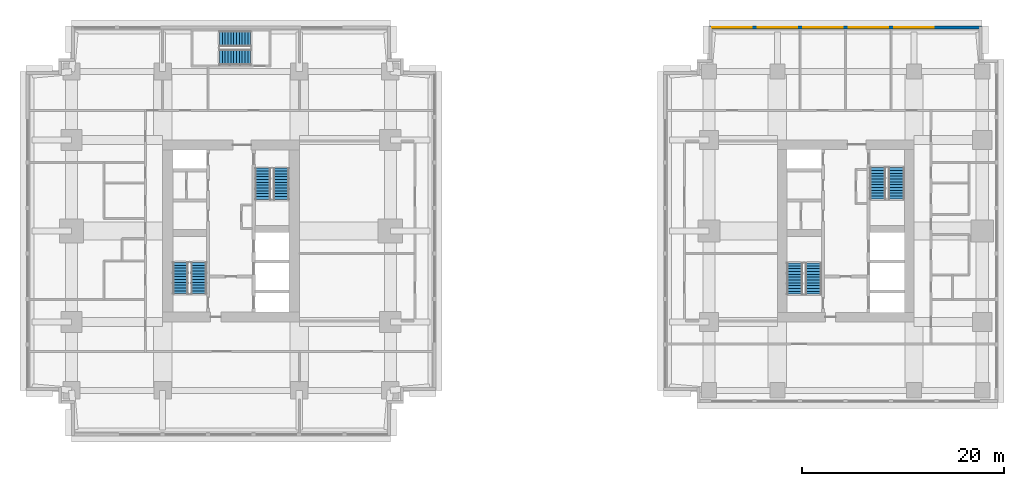
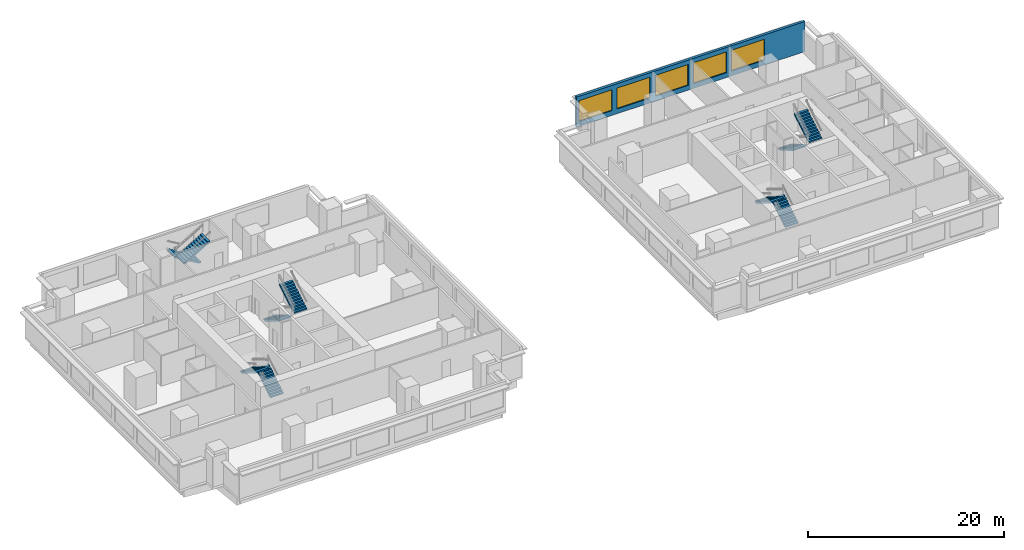
# One storey, part 8 of 10: 10 stair flights, 5 windows, 1 wall, 5 openings, 5 elements without a shape of their own.
"""IFC4 building model written with IfcOpenShell, lengths in metres."""

from ifc_helpers import new_model, si_unit, direction, frame, frame_2d, origin, place, context, subcontext, project, spatial, polyline, rectangle, outline, extrude, material, layer, layer_set, type_object, element, fill, aggregate, save


model = new_model("IFC4")

# Units and contexts
model_context = context("Model", 3, precision=1e-05, world=origin(), true_north=direction((0.0, 1.0)))
body_context = subcontext(model_context, "Body", "Model", "MODEL_VIEW")
ifc_project = project(units=[si_unit("LENGTHUNIT", "METRE"), si_unit("AREAUNIT", "SQUARE_METRE"), si_unit("VOLUMEUNIT", "CUBIC_METRE"), si_unit("PLANEANGLEUNIT", "RADIAN"), si_unit("MASSUNIT", "GRAM", prefix="KILO")], contexts=[model_context])

# Site, building, storey
site_placement = place(None, origin())
site = spatial("IfcSite", under=ifc_project, at=site_placement, CompositionType="ELEMENT")
building_placement = place(site_placement, origin())
building = spatial("IfcBuilding", under=site, at=building_placement, Name="Namib Vertical Campus", CompositionType="ELEMENT")
storey_placement = place(building_placement, frame((0.0, 0.0, 165.0)))
storey = spatial("IfcBuildingStorey", under=building, at=storey_placement, Name="L39", CompositionType="ELEMENT", Elevation=165.0)

# Wall, openings, windows
ifc_material_1 = material(Name="Concrete C40/50", Category="concrete")
ifc_layer = layer(ifc_material_1, 0.300048828125)
ifc_layer_set = layer_set([ifc_layer], Name="Concrete C40/50")
wall_type = type_object("IfcWallType", Name="External wall 300 board-marked concrete", PredefinedType="STANDARD", material=ifc_layer_set)
wall_placement = place(storey_placement, frame((94.47998046875, 40.35009765625, 0.0), z_axis=(0.0, 0.0, 1.0), x_axis=(-1.0, 0.0, 0.0)))
wall = element("IfcWall", 1, at=wall_placement, inside=storey, type_object=wall_type, Name="External wall L39 F07", PredefinedType="STANDARD", context=body_context, shape_type="SweptSolid", body=[
    extrude(rectangle(XDim=26.9599609375, YDim=0.300048828125, at=frame_2d((13.47998046875, 0.0))), origin(), (0.0, 0.0, 1.0), 3.75),
])
opening_1_placement = place(wall_placement, frame((22.780029296875, 0.0, 0.60009765625)))
opening_1 = element("IfcOpeningElement", 2, at=opening_1_placement, cuts=wall, Name="Opening W2", PredefinedType="OPENING", context=body_context, shape_type="SweptSolid", body=[
    extrude(rectangle(XDim=3.89990234375, YDim=2.60009765625, at=frame_2d((1.949951171875, 1.300048828125))), frame((0.0, 0.159912109375, 0.0), z_axis=(0.0, -1.0, 0.0), x_axis=(1.0, 0.0, 0.0)), (0.0, 0.0, 1.0), 0.320068359375),
])
opening_2_placement = place(wall_placement, frame((18.280029296875, 0.0, 0.60009765625)))
opening_2 = element("IfcOpeningElement", 3, at=opening_2_placement, cuts=wall, Name="Opening W2", PredefinedType="OPENING", context=body_context, shape_type="SweptSolid", body=[
    extrude(rectangle(XDim=3.89990234375, YDim=2.60009765625, at=frame_2d((1.949951171875, 1.300048828125))), frame((0.0, 0.159912109375, 0.0), z_axis=(0.0, -1.0, 0.0), x_axis=(1.0, 0.0, 0.0)), (0.0, 0.0, 1.0), 0.320068359375),
])
opening_3_placement = place(wall_placement, frame((13.780029296875, 0.0, 0.60009765625)))
opening_3 = element("IfcOpeningElement", 4, at=opening_3_placement, cuts=wall, Name="Opening W2", PredefinedType="OPENING", context=body_context, shape_type="SweptSolid", body=[
    extrude(rectangle(XDim=3.89990234375, YDim=2.60009765625, at=frame_2d((1.949951171875, 1.300048828125))), frame((0.0, 0.159912109375, 0.0), z_axis=(0.0, -1.0, 0.0), x_axis=(1.0, 0.0, 0.0)), (0.0, 0.0, 1.0), 0.320068359375),
])
opening_4_placement = place(wall_placement, frame((9.280029296875, 0.0, 0.60009765625)))
opening_4 = element("IfcOpeningElement", 5, at=opening_4_placement, cuts=wall, Name="Opening W2", PredefinedType="OPENING", context=body_context, shape_type="SweptSolid", body=[
    extrude(rectangle(XDim=3.89990234375, YDim=2.60009765625, at=frame_2d((1.949951171875, 1.300048828125))), frame((0.0, 0.159912109375, 0.0), z_axis=(0.0, -1.0, 0.0), x_axis=(1.0, 0.0, 0.0)), (0.0, 0.0, 1.0), 0.320068359375),
])
opening_5_placement = place(wall_placement, frame((4.780029296875, 0.0, 0.60009765625)))
opening_5 = element("IfcOpeningElement", 6, at=opening_5_placement, cuts=wall, Name="Opening W2", PredefinedType="OPENING", context=body_context, shape_type="SweptSolid", body=[
    extrude(rectangle(XDim=3.89990234375, YDim=2.60009765625, at=frame_2d((1.949951171875, 1.300048828125))), frame((0.0, 0.159912109375, 0.0), z_axis=(0.0, -1.0, 0.0), x_axis=(1.0, 0.0, 0.0)), (0.0, 0.0, 1.0), 0.320068359375),
])
ifc_material_2 = material(Name="Dark tinted glass in black aluminium frame", Category="aluminium")
window_type = type_object("IfcWindowType", Name="Ribbon window 3900x2600", PartitioningType="SINGLE_PANEL", PredefinedType="WINDOW", material=ifc_material_2)
window_1_placement = place(opening_1_placement, origin())
window_1 = element("IfcWindow", 7, at=window_1_placement, inside=storey, type_object=window_type, Name="Window W2 L39 F07-1", OverallHeight=2.60009765625, OverallWidth=3.89990234375, PartitioningType="SINGLE_PANEL", PredefinedType="WINDOW", context=body_context, shape_type="SweptSolid", body=[
    extrude(rectangle(XDim=3.89990234375, YDim=2.60009765625, at=frame_2d((1.949951171875, 1.300048828125))), frame((0.0, 0.030029296875, 0.0), z_axis=(0.0, -1.0, 0.0), x_axis=(1.0, 0.0, 0.0)), (0.0, 0.0, 1.0), 0.06005859375),
])
fill(opening_1, window_1)
window_2_placement = place(opening_2_placement, origin())
window_2 = element("IfcWindow", 8, at=window_2_placement, inside=storey, type_object=window_type, Name="Window W2 L39 F07-2", OverallHeight=2.60009765625, OverallWidth=3.89990234375, PartitioningType="SINGLE_PANEL", PredefinedType="WINDOW", context=body_context, shape_type="SweptSolid", body=[
    extrude(rectangle(XDim=3.89990234375, YDim=2.60009765625, at=frame_2d((1.949951171875, 1.300048828125))), frame((0.0, 0.030029296875, 0.0), z_axis=(0.0, -1.0, 0.0), x_axis=(1.0, 0.0, 0.0)), (0.0, 0.0, 1.0), 0.06005859375),
])
fill(opening_2, window_2)
window_3_placement = place(opening_3_placement, origin())
window_3 = element("IfcWindow", 9, at=window_3_placement, inside=storey, type_object=window_type, Name="Window W2 L39 F07-3", OverallHeight=2.60009765625, OverallWidth=3.89990234375, PartitioningType="SINGLE_PANEL", PredefinedType="WINDOW", context=body_context, shape_type="SweptSolid", body=[
    extrude(rectangle(XDim=3.89990234375, YDim=2.60009765625, at=frame_2d((1.949951171875, 1.300048828125))), frame((0.0, 0.030029296875, 0.0), z_axis=(0.0, -1.0, 0.0), x_axis=(1.0, 0.0, 0.0)), (0.0, 0.0, 1.0), 0.06005859375),
])
fill(opening_3, window_3)
window_4_placement = place(opening_4_placement, origin())
window_4 = element("IfcWindow", 10, at=window_4_placement, inside=storey, type_object=window_type, Name="Window W2 L39 F07-4", OverallHeight=2.60009765625, OverallWidth=3.89990234375, PartitioningType="SINGLE_PANEL", PredefinedType="WINDOW", context=body_context, shape_type="SweptSolid", body=[
    extrude(rectangle(XDim=3.89990234375, YDim=2.60009765625, at=frame_2d((1.949951171875, 1.300048828125))), frame((0.0, 0.030029296875, 0.0), z_axis=(0.0, -1.0, 0.0), x_axis=(1.0, 0.0, 0.0)), (0.0, 0.0, 1.0), 0.06005859375),
])
fill(opening_4, window_4)
window_5_placement = place(opening_5_placement, origin())
window_5 = element("IfcWindow", 11, at=window_5_placement, inside=storey, type_object=window_type, Name="Window W2 L39 F07-5", OverallHeight=2.60009765625, OverallWidth=3.89990234375, PartitioningType="SINGLE_PANEL", PredefinedType="WINDOW", context=body_context, shape_type="SweptSolid", body=[
    extrude(rectangle(XDim=3.89990234375, YDim=2.60009765625, at=frame_2d((1.949951171875, 1.300048828125))), frame((0.0, 0.030029296875, 0.0), z_axis=(0.0, -1.0, 0.0), x_axis=(1.0, 0.0, 0.0)), (0.0, 0.0, 1.0), 0.06005859375),
])
fill(opening_5, window_5)

# Stair, stair flights
ifc_material_3 = material(Name="Concrete C40/50 precast", Category="concrete")
stair_type_1 = type_object("IfcStairType", Name="Exit stair 4000 rise 24 risers 3350 wide", PredefinedType="HALF_TURN_STAIR", material=ifc_material_3)
stair_1_placement = place(storey_placement, origin())
stair_1 = element("IfcStair", 12, at=stair_1_placement, inside=storey, type_object=stair_type_1, Name="Exit stair A-S1 L39", PredefinedType="HALF_TURN_STAIR")
ifc_material_4 = material(Name="Concrete C40/50 precast", Category="concrete")
stair_flight_type_1 = type_object("IfcStairFlightType", Name="Stair flight 12 risers 167 1525 wide", PredefinedType="STRAIGHT", material=ifc_material_4)
stair_flight_1_placement = place(storey_placement, frame((17.08740234375, 14.050048828125, 0.0), z_axis=(0.0, 0.0, 1.0), x_axis=(0.0, 1.0, 0.0)))
stair_flight_1 = element("IfcStairFlight", 13, at=stair_flight_1_placement, type_object=stair_flight_type_1, Name="A-S1 flight 1", NumberOfRisers=12, NumberOfTreads=11, PredefinedType="STRAIGHT", RiserHeight=0.166666667, TreadLength=0.28, context=body_context, shape_type="SweptSolid", body=[
    extrude(outline(polyline([(0.0, 0.0), (0.0, 0.166748046875), (0.280029296875, 0.166748046875), (0.280029296875, 0.333251953125), (0.56005859375, 0.333251953125), (0.56005859375, 0.5), (0.840087890625, 0.5), (0.840087890625, 0.666748046875), (1.1201171875, 0.666748046875), (1.1201171875, 0.833251953125), (1.39990234375, 0.833251953125), (1.39990234375, 1.0), (1.679931640625, 1.0), (1.679931640625, 1.166748046875), (1.9599609375, 1.166748046875), (1.9599609375, 1.333251953125), (2.239990234375, 1.333251953125), (2.239990234375, 1.5), (2.52001953125, 1.5), (2.52001953125, 1.666748046875), (2.800048828125, 1.666748046875), (2.800048828125, 1.833251953125), (3.080078125, 1.833251953125), (3.080078125, 2.0), (3.080078125, 1.658935546875), (0.29296875, 0.0), (0.0, 0.0)])), frame((0.0, 0.762451171875, 0.0), z_axis=(0.0, -1.0, 0.0), x_axis=(1.0, 0.0, 0.0)), (0.0, 0.0, 1.0), 1.52490234375),
])
stair_flight_2_placement = place(storey_placement, frame((15.262451171875, 17.1298828125, 2.0), z_axis=(0.0, 0.0, 1.0), x_axis=(0.0, -1.0, 0.0)))
stair_flight_2 = element("IfcStairFlight", 14, at=stair_flight_2_placement, type_object=stair_flight_type_1, Name="A-S1 flight 2", NumberOfRisers=12, NumberOfTreads=11, PredefinedType="STRAIGHT", RiserHeight=0.166666667, TreadLength=0.28, context=body_context, shape_type="SweptSolid", body=[
    extrude(outline(polyline([(0.0, 0.0), (0.0, 0.166748046875), (0.280029296875, 0.166748046875), (0.280029296875, 0.333251953125), (0.56005859375, 0.333251953125), (0.56005859375, 0.5), (0.840087890625, 0.5), (0.840087890625, 0.666748046875), (1.1201171875, 0.666748046875), (1.1201171875, 0.833251953125), (1.39990234375, 0.833251953125), (1.39990234375, 1.0), (1.679931640625, 1.0), (1.679931640625, 1.166748046875), (1.9599609375, 1.166748046875), (1.9599609375, 1.333251953125), (2.239990234375, 1.333251953125), (2.239990234375, 1.5), (2.52001953125, 1.5), (2.52001953125, 1.666748046875), (2.800048828125, 1.666748046875), (2.800048828125, 1.833251953125), (3.080078125, 1.833251953125), (3.080078125, 2.0), (3.080078125, 1.658935546875), (0.29296875, 0.0), (0.0, 0.0)])), frame((0.0, 0.762451171875, 0.0), z_axis=(0.0, -1.0, 0.0), x_axis=(1.0, 0.0, 0.0)), (0.0, 0.0, 1.0), 1.52490234375),
])
aggregate(stair_1, [stair_flight_1, stair_flight_2])

stair_2_placement = place(storey_placement, origin())
stair_2 = element("IfcStair", 15, at=stair_2_placement, inside=storey, type_object=stair_type_1, Name="Exit stair A-S2 L39", PredefinedType="HALF_TURN_STAIR")
stair_flight_3_placement = place(storey_placement, frame((23.41259765625, 26.449951171875, 0.0), z_axis=(0.0, 0.0, 1.0), x_axis=(0.0, -1.0, 0.0)))
stair_flight_3 = element("IfcStairFlight", 16, at=stair_flight_3_placement, type_object=stair_flight_type_1, Name="A-S2 flight 1", NumberOfRisers=12, NumberOfTreads=11, PredefinedType="STRAIGHT", RiserHeight=0.166666667, TreadLength=0.28, context=body_context, shape_type="SweptSolid", body=[
    extrude(outline(polyline([(0.0, 0.0), (0.0, 0.166748046875), (0.280029296875, 0.166748046875), (0.280029296875, 0.333251953125), (0.56005859375, 0.333251953125), (0.56005859375, 0.5), (0.840087890625, 0.5), (0.840087890625, 0.666748046875), (1.1201171875, 0.666748046875), (1.1201171875, 0.833251953125), (1.39990234375, 0.833251953125), (1.39990234375, 1.0), (1.679931640625, 1.0), (1.679931640625, 1.166748046875), (1.9599609375, 1.166748046875), (1.9599609375, 1.333251953125), (2.239990234375, 1.333251953125), (2.239990234375, 1.5), (2.52001953125, 1.5), (2.52001953125, 1.666748046875), (2.800048828125, 1.666748046875), (2.800048828125, 1.833251953125), (3.080078125, 1.833251953125), (3.080078125, 2.0), (3.080078125, 1.658935546875), (0.29296875, 0.0), (0.0, 0.0)])), frame((0.0, 0.762451171875, 0.0), z_axis=(0.0, -1.0, 0.0), x_axis=(1.0, 0.0, 0.0)), (0.0, 0.0, 1.0), 1.52490234375),
])
stair_flight_4_placement = place(storey_placement, frame((25.237548828125, 23.3701171875, 2.0), z_axis=(0.0, 0.0, 1.0), x_axis=(0.0, 1.0, 0.0)))
stair_flight_4 = element("IfcStairFlight", 17, at=stair_flight_4_placement, type_object=stair_flight_type_1, Name="A-S2 flight 2", NumberOfRisers=12, NumberOfTreads=11, PredefinedType="STRAIGHT", RiserHeight=0.166666667, TreadLength=0.28, context=body_context, shape_type="SweptSolid", body=[
    extrude(outline(polyline([(0.0, 0.0), (0.0, 0.166748046875), (0.280029296875, 0.166748046875), (0.280029296875, 0.333251953125), (0.56005859375, 0.333251953125), (0.56005859375, 0.5), (0.840087890625, 0.5), (0.840087890625, 0.666748046875), (1.1201171875, 0.666748046875), (1.1201171875, 0.833251953125), (1.39990234375, 0.833251953125), (1.39990234375, 1.0), (1.679931640625, 1.0), (1.679931640625, 1.166748046875), (1.9599609375, 1.166748046875), (1.9599609375, 1.333251953125), (2.239990234375, 1.333251953125), (2.239990234375, 1.5), (2.52001953125, 1.5), (2.52001953125, 1.666748046875), (2.800048828125, 1.666748046875), (2.800048828125, 1.833251953125), (3.080078125, 1.833251953125), (3.080078125, 2.0), (3.080078125, 1.658935546875), (0.29296875, 0.0), (0.0, 0.0)])), frame((0.0, 0.762451171875, 0.0), z_axis=(0.0, -1.0, 0.0), x_axis=(1.0, 0.0, 0.0)), (0.0, 0.0, 1.0), 1.52490234375),
])
aggregate(stair_2, [stair_flight_3, stair_flight_4])

stair_3_placement = place(storey_placement, origin())
stair_3 = element("IfcStair", 18, at=stair_3_placement, inside=storey, type_object=stair_type_1, Name="Exit stair A-S3 L39", PredefinedType="HALF_TURN_STAIR")
stair_flight_5_placement = place(storey_placement, frame((22.199951171875, 39.237548828125, 0.0), z_axis=(0.0, 0.0, 1.0), x_axis=(-1.0, 0.0, 0.0)))
stair_flight_5 = element("IfcStairFlight", 19, at=stair_flight_5_placement, type_object=stair_flight_type_1, Name="A-S3 flight 1", NumberOfRisers=12, NumberOfTreads=11, PredefinedType="STRAIGHT", RiserHeight=0.166666667, TreadLength=0.28, context=body_context, shape_type="SweptSolid", body=[
    extrude(outline(polyline([(0.0, 0.0), (0.0, 0.166748046875), (0.280029296875, 0.166748046875), (0.280029296875, 0.333251953125), (0.56005859375, 0.333251953125), (0.56005859375, 0.5), (0.840087890625, 0.5), (0.840087890625, 0.666748046875), (1.1201171875, 0.666748046875), (1.1201171875, 0.833251953125), (1.39990234375, 0.833251953125), (1.39990234375, 1.0), (1.679931640625, 1.0), (1.679931640625, 1.166748046875), (1.9599609375, 1.166748046875), (1.9599609375, 1.333251953125), (2.239990234375, 1.333251953125), (2.239990234375, 1.5), (2.52001953125, 1.5), (2.52001953125, 1.666748046875), (2.800048828125, 1.666748046875), (2.800048828125, 1.833251953125), (3.080078125, 1.833251953125), (3.080078125, 2.0), (3.080078125, 1.658935546875), (0.29296875, 0.0), (0.0, 0.0)])), frame((0.0, 0.762451171875, 0.0), z_axis=(0.0, -1.0, 0.0), x_axis=(1.0, 0.0, 0.0)), (0.0, 0.0, 1.0), 1.52490234375),
])
stair_flight_6_placement = place(storey_placement, frame((19.1201171875, 37.41259765625, 2.0), z_axis=(0.0, 0.0, 1.0), x_axis=(1.0, 0.0, 0.0)))
stair_flight_6 = element("IfcStairFlight", 20, at=stair_flight_6_placement, type_object=stair_flight_type_1, Name="A-S3 flight 2", NumberOfRisers=12, NumberOfTreads=11, PredefinedType="STRAIGHT", RiserHeight=0.166666667, TreadLength=0.28, context=body_context, shape_type="SweptSolid", body=[
    extrude(outline(polyline([(0.0, 0.0), (0.0, 0.166748046875), (0.280029296875, 0.166748046875), (0.280029296875, 0.333251953125), (0.56005859375, 0.333251953125), (0.56005859375, 0.5), (0.840087890625, 0.5), (0.840087890625, 0.666748046875), (1.1201171875, 0.666748046875), (1.1201171875, 0.833251953125), (1.39990234375, 0.833251953125), (1.39990234375, 1.0), (1.679931640625, 1.0), (1.679931640625, 1.166748046875), (1.9599609375, 1.166748046875), (1.9599609375, 1.333251953125), (2.239990234375, 1.333251953125), (2.239990234375, 1.5), (2.52001953125, 1.5), (2.52001953125, 1.666748046875), (2.800048828125, 1.666748046875), (2.800048828125, 1.833251953125), (3.080078125, 1.833251953125), (3.080078125, 2.0), (3.080078125, 1.658935546875), (0.29296875, 0.0), (0.0, 0.0)])), frame((0.0, 0.762451171875, 0.0), z_axis=(0.0, -1.0, 0.0), x_axis=(1.0, 0.0, 0.0)), (0.0, 0.0, 1.0), 1.52490234375),
])
aggregate(stair_3, [stair_flight_5, stair_flight_6])

ifc_material_5 = material(Name="Concrete C40/50 precast", Category="concrete")
stair_type_2 = type_object("IfcStairType", Name="Exit stair 4000 rise 24 risers 3400 wide", PredefinedType="HALF_TURN_STAIR", material=ifc_material_5)
stair_4_placement = place(storey_placement, origin())
stair_4 = element("IfcStair", 21, at=stair_4_placement, inside=storey, type_object=stair_type_2, Name="Exit stair B-S1 L39", PredefinedType="HALF_TURN_STAIR")
ifc_material_6 = material(Name="Concrete C40/50 precast", Category="concrete")
stair_flight_type_2 = type_object("IfcStairFlightType", Name="Stair flight 12 risers 167 1550 wide", PredefinedType="STRAIGHT", material=ifc_material_6)
stair_flight_7_placement = place(storey_placement, frame((77.824951171875, 14.0, 0.0), z_axis=(0.0, 0.0, 1.0), x_axis=(0.0, 1.0, 0.0)))
stair_flight_7 = element("IfcStairFlight", 22, at=stair_flight_7_placement, type_object=stair_flight_type_2, Name="B-S1 flight 1", NumberOfRisers=12, NumberOfTreads=11, PredefinedType="STRAIGHT", RiserHeight=0.166666667, TreadLength=0.28, context=body_context, shape_type="SweptSolid", body=[
    extrude(outline(polyline([(0.0, 0.0), (0.0, 0.166748046875), (0.280029296875, 0.166748046875), (0.280029296875, 0.333251953125), (0.56005859375, 0.333251953125), (0.56005859375, 0.5), (0.840087890625, 0.5), (0.840087890625, 0.666748046875), (1.1201171875, 0.666748046875), (1.1201171875, 0.833251953125), (1.39990234375, 0.833251953125), (1.39990234375, 1.0), (1.679931640625, 1.0), (1.679931640625, 1.166748046875), (1.9599609375, 1.166748046875), (1.9599609375, 1.333251953125), (2.239990234375, 1.333251953125), (2.239990234375, 1.5), (2.52001953125, 1.5), (2.52001953125, 1.666748046875), (2.800048828125, 1.666748046875), (2.800048828125, 1.833251953125), (3.080078125, 1.833251953125), (3.080078125, 2.0), (3.080078125, 1.658935546875), (0.29296875, 0.0), (0.0, 0.0)])), frame((0.0, 0.77490234375, 0.0), z_axis=(0.0, -1.0, 0.0), x_axis=(1.0, 0.0, 0.0)), (0.0, 0.0, 1.0), 1.550048828125),
])
stair_flight_8_placement = place(storey_placement, frame((75.97509765625, 17.080078125, 2.0), z_axis=(0.0, 0.0, 1.0), x_axis=(0.0, -1.0, 0.0)))
stair_flight_8 = element("IfcStairFlight", 23, at=stair_flight_8_placement, type_object=stair_flight_type_2, Name="B-S1 flight 2", NumberOfRisers=12, NumberOfTreads=11, PredefinedType="STRAIGHT", RiserHeight=0.166666667, TreadLength=0.28, context=body_context, shape_type="SweptSolid", body=[
    extrude(outline(polyline([(0.0, 0.0), (0.0, 0.166748046875), (0.280029296875, 0.166748046875), (0.280029296875, 0.333251953125), (0.56005859375, 0.333251953125), (0.56005859375, 0.5), (0.840087890625, 0.5), (0.840087890625, 0.666748046875), (1.1201171875, 0.666748046875), (1.1201171875, 0.833251953125), (1.39990234375, 0.833251953125), (1.39990234375, 1.0), (1.679931640625, 1.0), (1.679931640625, 1.166748046875), (1.9599609375, 1.166748046875), (1.9599609375, 1.333251953125), (2.239990234375, 1.333251953125), (2.239990234375, 1.5), (2.52001953125, 1.5), (2.52001953125, 1.666748046875), (2.800048828125, 1.666748046875), (2.800048828125, 1.833251953125), (3.080078125, 1.833251953125), (3.080078125, 2.0), (3.080078125, 1.658935546875), (0.29296875, 0.0), (0.0, 0.0)])), frame((0.0, 0.77490234375, 0.0), z_axis=(0.0, -1.0, 0.0), x_axis=(1.0, 0.0, 0.0)), (0.0, 0.0, 1.0), 1.550048828125),
])
aggregate(stair_4, [stair_flight_7, stair_flight_8])

stair_5_placement = place(storey_placement, origin())
stair_5 = element("IfcStair", 24, at=stair_5_placement, inside=storey, type_object=stair_type_2, Name="Exit stair B-S2 L39", PredefinedType="HALF_TURN_STAIR")
stair_flight_9_placement = place(storey_placement, frame((84.175048828125, 26.5, 0.0), z_axis=(0.0, 0.0, 1.0), x_axis=(0.0, -1.0, 0.0)))
stair_flight_9 = element("IfcStairFlight", 25, at=stair_flight_9_placement, type_object=stair_flight_type_2, Name="B-S2 flight 1", NumberOfRisers=12, NumberOfTreads=11, PredefinedType="STRAIGHT", RiserHeight=0.166666667, TreadLength=0.28, context=body_context, shape_type="SweptSolid", body=[
    extrude(outline(polyline([(0.0, 0.0), (0.0, 0.166748046875), (0.280029296875, 0.166748046875), (0.280029296875, 0.333251953125), (0.56005859375, 0.333251953125), (0.56005859375, 0.5), (0.840087890625, 0.5), (0.840087890625, 0.666748046875), (1.1201171875, 0.666748046875), (1.1201171875, 0.833251953125), (1.39990234375, 0.833251953125), (1.39990234375, 1.0), (1.679931640625, 1.0), (1.679931640625, 1.166748046875), (1.9599609375, 1.166748046875), (1.9599609375, 1.333251953125), (2.239990234375, 1.333251953125), (2.239990234375, 1.5), (2.52001953125, 1.5), (2.52001953125, 1.666748046875), (2.800048828125, 1.666748046875), (2.800048828125, 1.833251953125), (3.080078125, 1.833251953125), (3.080078125, 2.0), (3.080078125, 1.658935546875), (0.29296875, 0.0), (0.0, 0.0)])), frame((0.0, 0.77490234375, 0.0), z_axis=(0.0, -1.0, 0.0), x_axis=(1.0, 0.0, 0.0)), (0.0, 0.0, 1.0), 1.550048828125),
])
stair_flight_10_placement = place(storey_placement, frame((86.02490234375, 23.419921875, 2.0), z_axis=(0.0, 0.0, 1.0), x_axis=(0.0, 1.0, 0.0)))
stair_flight_10 = element("IfcStairFlight", 26, at=stair_flight_10_placement, type_object=stair_flight_type_2, Name="B-S2 flight 2", NumberOfRisers=12, NumberOfTreads=11, PredefinedType="STRAIGHT", RiserHeight=0.166666667, TreadLength=0.28, context=body_context, shape_type="SweptSolid", body=[
    extrude(outline(polyline([(0.0, 0.0), (0.0, 0.166748046875), (0.280029296875, 0.166748046875), (0.280029296875, 0.333251953125), (0.56005859375, 0.333251953125), (0.56005859375, 0.5), (0.840087890625, 0.5), (0.840087890625, 0.666748046875), (1.1201171875, 0.666748046875), (1.1201171875, 0.833251953125), (1.39990234375, 0.833251953125), (1.39990234375, 1.0), (1.679931640625, 1.0), (1.679931640625, 1.166748046875), (1.9599609375, 1.166748046875), (1.9599609375, 1.333251953125), (2.239990234375, 1.333251953125), (2.239990234375, 1.5), (2.52001953125, 1.5), (2.52001953125, 1.666748046875), (2.800048828125, 1.666748046875), (2.800048828125, 1.833251953125), (3.080078125, 1.833251953125), (3.080078125, 2.0), (3.080078125, 1.658935546875), (0.29296875, 0.0), (0.0, 0.0)])), frame((0.0, 0.77490234375, 0.0), z_axis=(0.0, -1.0, 0.0), x_axis=(1.0, 0.0, 0.0)), (0.0, 0.0, 1.0), 1.550048828125),
])
aggregate(stair_5, [stair_flight_9, stair_flight_10])

save(model, "model.ifc")
